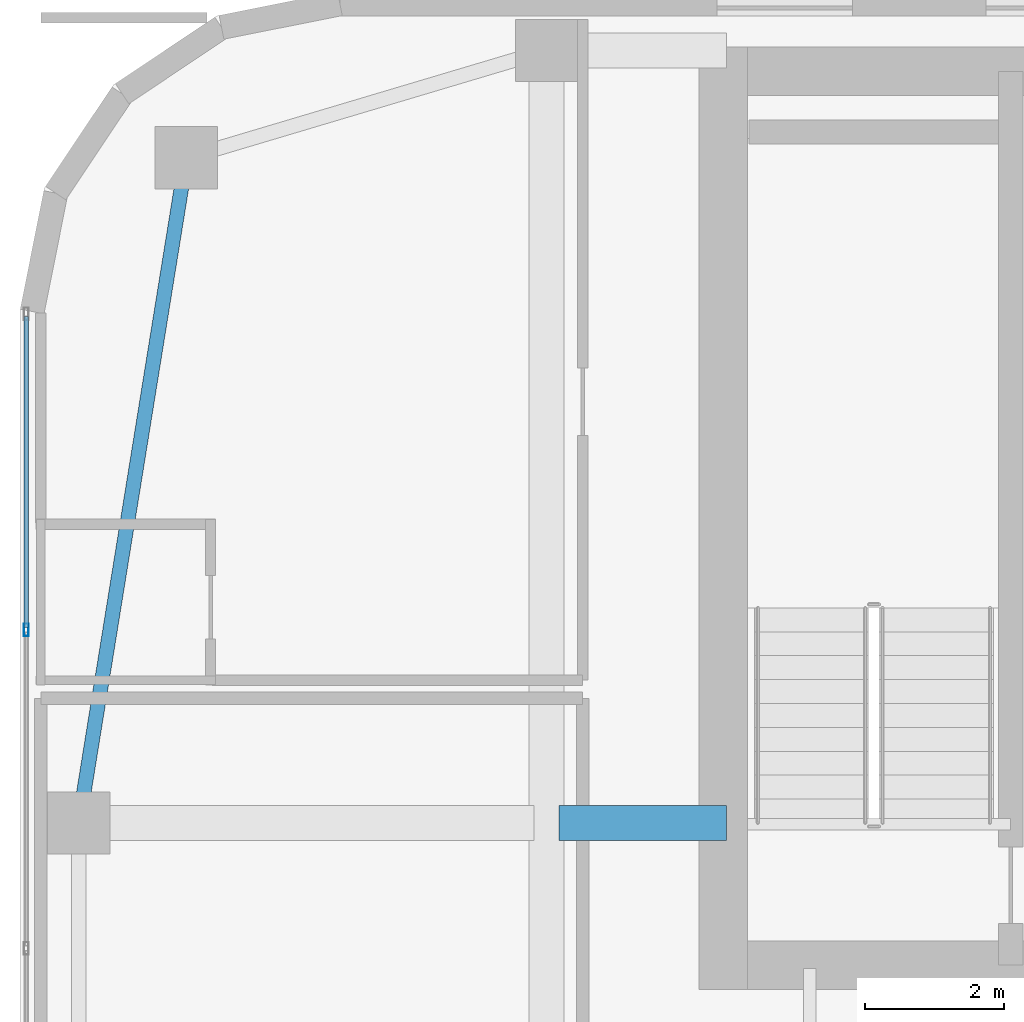
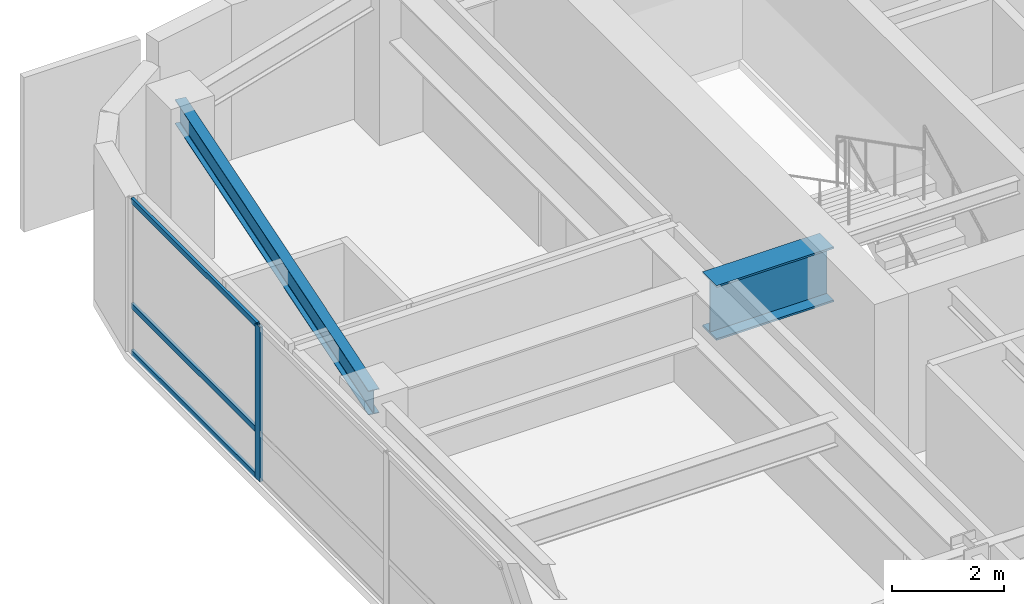
# One storey, part 19 of 30: 4 members, 2 beams, 1 element without a shape of its own.
"""IFC4 building model written with IfcOpenShell, lengths in metres."""

from ifc_helpers import new_model, si_unit, direction, frame, origin, origin_2d, place, context, subcontext, project, spatial, hollow_rectangle, i_section, extrude, source, transform, mapped, material, layer, layer_set, material_profile, profile_set, type_object, type_shapes, element, aggregate, save


model = new_model("IFC4")

# Units and contexts
model_context = context("Model", 3, precision=1e-05, world=origin(), true_north=direction((0.0, 1.0)))
body_context = subcontext(model_context, "Body", "Model", "MODEL_VIEW")
ifc_project = project(units=[si_unit("LENGTHUNIT", "METRE"), si_unit("AREAUNIT", "SQUARE_METRE"), si_unit("VOLUMEUNIT", "CUBIC_METRE"), si_unit("PLANEANGLEUNIT", "RADIAN"), si_unit("MASSUNIT", "GRAM", prefix="KILO")], contexts=[model_context])

# Site, building, storey
site_placement = place(None, origin())
site = spatial("IfcSite", under=ifc_project, at=site_placement, CompositionType="ELEMENT")
building_placement = place(site_placement, origin())
building = spatial("IfcBuilding", under=site, at=building_placement, Name="Tolvann Quenvar Hotel", CompositionType="ELEMENT")
storey_placement = place(building_placement, frame((0.0, 0.0, 100.89990234375)))
storey = spatial("IfcBuildingStorey", under=building, at=storey_placement, Name="L25", CompositionType="ELEMENT", Elevation=100.89990234375)

# Beams
ifc_material_1 = material(Name="Steel Grade 350", Category="steel")
ifc_material_profile_1 = material_profile(ifc_material_1, i_section(OverallWidth=0.208984375, OverallDepth=0.528076171875, WebThickness=0.009521484375, FlangeThickness=0.01318359375, FilletRadius=0.013916015625, at=origin_2d()), Name="530UB82")
ifc_profile_set_1 = profile_set([ifc_material_profile_1], Name="Steel Grade 350")
beam_type_1 = type_object("IfcBeamType", Name="BM_SPAND_530UB82", PredefinedType="SPANDREL", material=ifc_profile_set_1)
shared_shape_1 = source(origin(), body_context, "Body", "SweptSolid", [
    extrude(i_section(OverallWidth=0.208984375, OverallDepth=0.528076171875, WebThickness=0.009521484375, FlangeThickness=0.01318359375, FilletRadius=0.013916015625, at=origin_2d()), origin(), (0.0, 0.0, 1.0), 9.724365234375),
])
type_shapes(beam_type_1, [shared_shape_1])
beam_1_placement = place(storey_placement, frame((0.85009765625, 34.0, 3.106201171875), z_axis=(0.159372939192, 0.987218449105, 0.0), x_axis=(-0.987218449105, 0.159372939192, 0.0)))
element("IfcBeam", 1, at=beam_1_placement, inside=storey, type_object=beam_type_1, Name="BM-L25-FLK-W2", PredefinedType="SPANDREL", context=body_context, shape_type="MappedRepresentation", body=[
    mapped(shared_shape_1, transform((0.0, 0.0, 0.0), x_axis=(1.0, 0.0, 0.0), y_axis=(0.0, 1.0, 0.0), z_axis=(0.0, 0.0, 1.0), scale=1.0)),
])
ifc_material_profile_2 = material_profile(ifc_material_1, i_section(OverallWidth=0.5, OverallDepth=1.199951171875, WebThickness=0.01611328125, FlangeThickness=0.0400390625, at=origin_2d()), Name="1200WB455")
ifc_profile_set_2 = profile_set([ifc_material_profile_2], Name="Steel Grade 350")
beam_type_2 = type_object("IfcBeamType", Name="BM_TG_1200WB455", PredefinedType="USERDEFINED", material=ifc_profile_set_2)
shared_shape_2 = source(origin(), body_context, "Body", "SweptSolid", [
    extrude(i_section(OverallWidth=0.5, OverallDepth=1.199951171875, WebThickness=0.01611328125, FlangeThickness=0.0400390625, at=origin_2d()), origin(), (0.0, 0.0, 1.0), 2.419921875),
])
type_shapes(beam_type_2, [shared_shape_2])
beam_2_placement = place(storey_placement, frame((7.780029296875, 34.0, 2.77001953125), z_axis=(1.0, 0.0, 0.0), x_axis=(0.0, 1.0, 0.0)))
element("IfcBeam", 2, at=beam_2_placement, inside=storey, type_object=beam_type_2, Name="BM-L25-CTW-MID2", ObjectType="TRANSFER GIRDER", PredefinedType="USERDEFINED", context=body_context, shape_type="MappedRepresentation", body=[
    mapped(shared_shape_2, transform((0.0, 0.0, 0.0), x_axis=(1.0, 0.0, 0.0), y_axis=(0.0, 1.0, 0.0), z_axis=(0.0, 0.0, 1.0), scale=1.0)),
])

# Curtain wall, members
ifc_material_2 = material(Name="Thermally broken anodised architectural aluminium 6063-T6 and laminated low-E glass", Category="aluminium")
ifc_layer = layer(ifc_material_2, 0.179931640625)
ifc_layer_set = layer_set([ifc_layer], Name="Thermally broken anodised architectural aluminium 6063-T6 and laminated low-E glass")
curtain_wall_type = type_object("IfcCurtainWallType", Name="CW_SYS_BAND_04", PredefinedType="USERDEFINED", material=ifc_layer_set)
curtain_wall_placement = place(storey_placement, origin())
curtain_wall = element("IfcCurtainWall", 3, at=curtain_wall_placement, inside=storey, type_object=curtain_wall_type, Name="Curtain Wall CW-BAND-04 (CWR-L25-E23)", ObjectType="UNITISED CURTAIN WALL", PredefinedType="USERDEFINED")
ifc_material_3 = material(Name="Anodised architectural aluminium 6063-T6 framing", Category="aluminium")
ifc_material_profile_3 = material_profile(ifc_material_3, hollow_rectangle(XDim=0.070068359375, YDim=0.179931640625, WallThickness=0.00390625, at=origin_2d()), Name="180x70x4RHS")
ifc_profile_set_3 = profile_set([ifc_material_profile_3], Name="Anodised architectural aluminium 6063-T6 framing")
member_type_1 = type_object("IfcMemberType", Name="CW_MULL_180x70", PredefinedType="MULLION", material=ifc_profile_set_3)
shared_shape_3 = source(origin(), body_context, "Body", "SweptSolid", [
    extrude(hollow_rectangle(XDim=0.070068359375, YDim=0.179931640625, WallThickness=0.00390625, at=origin_2d()), origin(), (0.0, 0.0, 1.0), 3.3701171875),
])
type_shapes(member_type_1, [shared_shape_3])
member_1_placement = place(storey_placement, frame((0.090087890625, 36.787109375, 0.0), z_axis=(0.0, 0.0, 1.0), x_axis=(1.0, 0.0, 0.0)))
member_1 = element("IfcMember", 4, at=member_1_placement, type_object=member_type_1, Name="CW-BAND-04 mullion 2", PredefinedType="MULLION", context=body_context, shape_type="MappedRepresentation", body=[
    mapped(shared_shape_3, transform((0.0, 0.0, 0.0), x_axis=(1.0, 0.0, 0.0), y_axis=(0.0, 1.0, 0.0), z_axis=(0.0, 0.0, 1.0), scale=1.0)),
])
ifc_material_profile_4 = material_profile(ifc_material_3, hollow_rectangle(XDim=0.06005859375, YDim=0.1201171875, WallThickness=0.00341796875, at=origin_2d()), Name="120x60x3.5RHS")
ifc_profile_set_4 = profile_set([ifc_material_profile_4], Name="Anodised architectural aluminium 6063-T6 framing")
member_type_2 = type_object("IfcMemberType", Name="CW_TRAN_120x60", PredefinedType="USERDEFINED", material=ifc_profile_set_4)
shared_shape_4 = source(origin(), body_context, "Body", "SweptSolid", [
    extrude(hollow_rectangle(XDim=0.06005859375, YDim=0.1201171875, WallThickness=0.00341796875, at=origin_2d()), origin(), (0.0, 0.0, 1.0), 4.49072265625),
])
type_shapes(member_type_2, [shared_shape_4])
member_2_placement = place(storey_placement, frame((0.090087890625, 41.312744140625, 0.030029296875), z_axis=(0.0, -1.0, 0.0), x_axis=(1.0, 0.0, 0.0)))
member_2 = element("IfcMember", 5, at=member_2_placement, type_object=member_type_2, Name="CW-BAND-04 transom 1.1", ObjectType="TRANSOM", PredefinedType="USERDEFINED", context=body_context, shape_type="MappedRepresentation", body=[
    mapped(shared_shape_4, transform((0.0, 0.0, 0.0), x_axis=(1.0, 0.0, 0.0), y_axis=(0.0, 1.0, 0.0), z_axis=(0.0, 0.0, 1.0), scale=1.0)),
])
member_3_placement = place(storey_placement, frame((0.090087890625, 41.312744140625, 1.050048828125), z_axis=(0.0, -1.0, 0.0), x_axis=(1.0, 0.0, 0.0)))
member_3 = element("IfcMember", 6, at=member_3_placement, type_object=member_type_2, Name="CW-BAND-04 transom 1.2", ObjectType="TRANSOM", PredefinedType="USERDEFINED", context=body_context, shape_type="MappedRepresentation", body=[
    mapped(shared_shape_4, transform((0.0, 0.0, 0.0), x_axis=(1.0, 0.0, 0.0), y_axis=(0.0, 1.0, 0.0), z_axis=(0.0, 0.0, 1.0), scale=1.0)),
])
member_4_placement = place(storey_placement, frame((0.090087890625, 41.312744140625, 3.340087890625), z_axis=(0.0, -1.0, 0.0), x_axis=(1.0, 0.0, 0.0)))
member_4 = element("IfcMember", 7, at=member_4_placement, type_object=member_type_2, Name="CW-BAND-04 transom 1.3", ObjectType="TRANSOM", PredefinedType="USERDEFINED", context=body_context, shape_type="MappedRepresentation", body=[
    mapped(shared_shape_4, transform((0.0, 0.0, 0.0), x_axis=(1.0, 0.0, 0.0), y_axis=(0.0, 1.0, 0.0), z_axis=(0.0, 0.0, 1.0), scale=1.0)),
])
aggregate(curtain_wall, [member_1, member_2, member_3, member_4])

save(model, "model.ifc")
